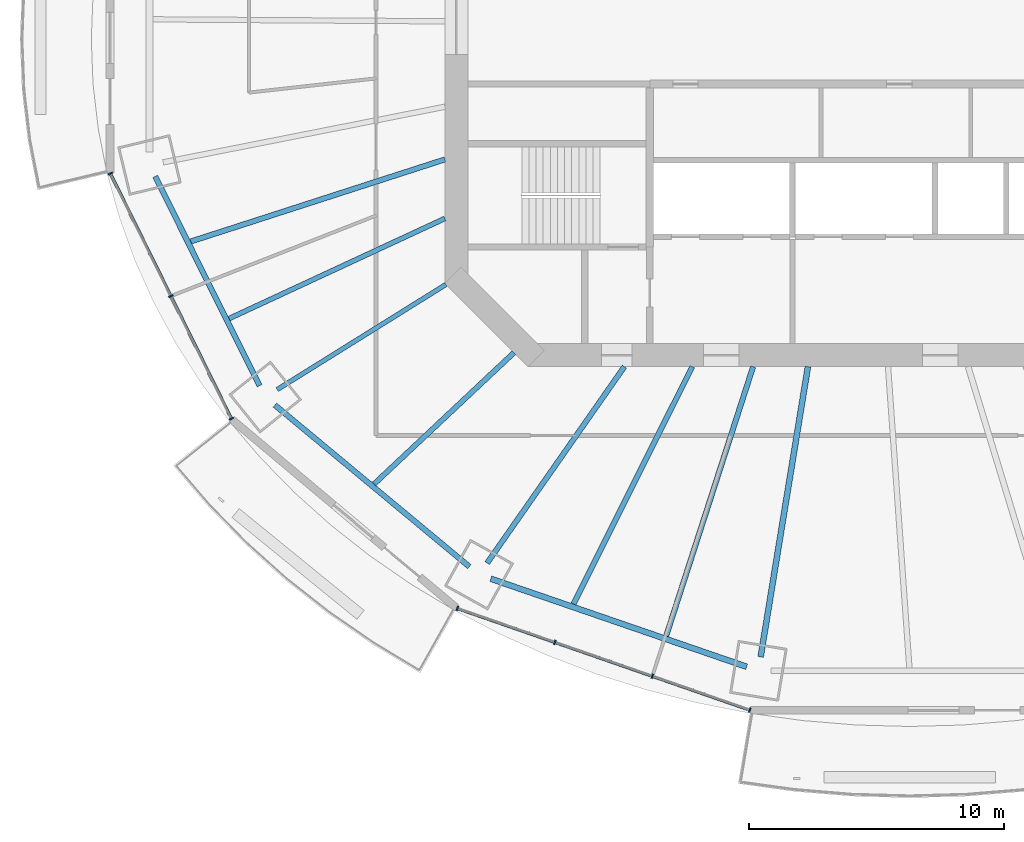
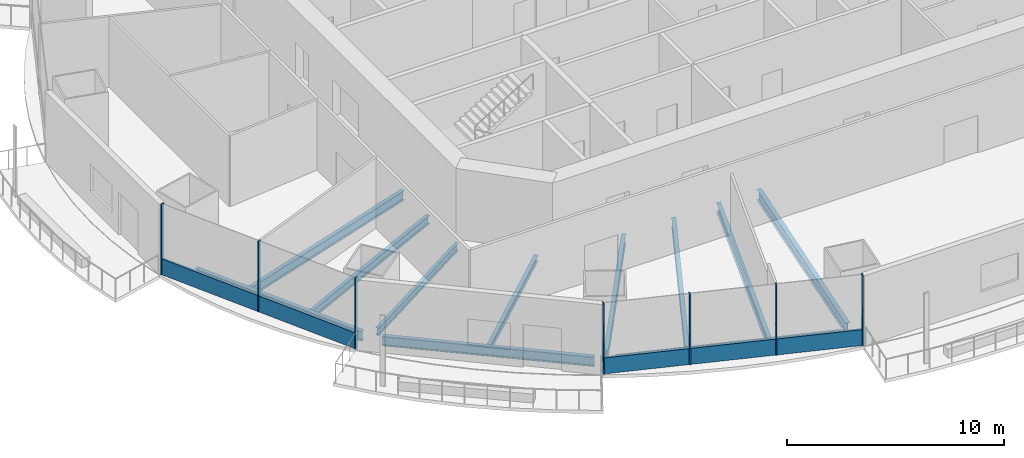
# One storey, part 2 of 20: 11 beams, 9 members, 2 elements without a shape of their own.
"""IFC4 building model written with IfcOpenShell, lengths in metres."""

from ifc_helpers import new_model, si_unit, direction, frame, origin, origin_2d, place, context, subcontext, project, spatial, rectangle, i_section, extrude, material, material_profile, profile_set, type_object, element, aggregate, save


model = new_model("IFC4")

# Units and contexts
model_context = context("Model", 3, precision=1e-05, world=origin(), true_north=direction((0.0, 1.0)))
body_context = subcontext(model_context, "Body", "Model", "MODEL_VIEW")
ifc_project = project(units=[si_unit("LENGTHUNIT", "METRE"), si_unit("AREAUNIT", "SQUARE_METRE"), si_unit("VOLUMEUNIT", "CUBIC_METRE"), si_unit("PLANEANGLEUNIT", "RADIAN"), si_unit("MASSUNIT", "GRAM", prefix="KILO")], contexts=[model_context])

# Site, building, storey
site_placement = place(None, origin())
site = spatial("IfcSite", under=ifc_project, at=site_placement, CompositionType="ELEMENT")
building_placement = place(site_placement, origin())
building = spatial("IfcBuilding", under=site, at=building_placement, Name="Marenthal Gate Tower", CompositionType="ELEMENT")
storey_placement = place(building_placement, frame((0.0, 0.0, 190.10009765625)))
storey = spatial("IfcBuildingStorey", under=building, at=storey_placement, Name="L41", CompositionType="ELEMENT", Elevation=190.10009765625)

# Curtain wall, members
ifc_material_1 = material(Name="Aluminium and glass", Category="aluminium")
curtain_wall_type = type_object("IfcCurtainWallType", Name="Curtain wall typical mid", PredefinedType="NOTDEFINED", material=ifc_material_1)
curtain_wall_1_placement = place(storey_placement, origin())
curtain_wall_1 = element("IfcCurtainWall", 1, at=curtain_wall_1_placement, inside=storey, type_object=curtain_wall_type, Name="Curtain wall L41 bay 9", PredefinedType="NOTDEFINED")
ifc_material_2 = material(Name="Aluminium", Category="aluminium")
ifc_material_profile_1 = material_profile(ifc_material_2, rectangle(XDim=0.179931640625, YDim=0.06005859375, at=origin_2d()), Name="60x180 aluminium mullion")
ifc_profile_set_1 = profile_set([ifc_material_profile_1], Name="Aluminium")
member_type_1 = type_object("IfcMemberType", Name="Mullion 60x180 typical mid", PredefinedType="MULLION", material=ifc_profile_set_1)
member_1_placement = place(storey_placement, frame((-29.58642578125, -5.8671875, 0.0), z_axis=(0.0, 0.0, 1.0), x_axis=(0.896680826174, 0.442677643406, 0.0)))
member_1 = element("IfcMember", 2, at=member_1_placement, type_object=member_type_1, Name="Mullion L41 bay 9.1", PredefinedType="MULLION", context=body_context, shape_type="SweptSolid", body=[
    extrude(rectangle(XDim=0.179931640625, YDim=0.06005859375, at=origin_2d()), origin(), (0.0, 0.0, 1.0), 3.969970703125),
])
member_2_placement = place(storey_placement, frame((-27.209716796875, -10.681640625, 0.0), z_axis=(0.0, 0.0, 1.0), x_axis=(0.896680826174, 0.442677643406, 0.0)))
member_2 = element("IfcMember", 3, at=member_2_placement, type_object=member_type_1, Name="Mullion L41 bay 9.2", PredefinedType="MULLION", context=body_context, shape_type="SweptSolid", body=[
    extrude(rectangle(XDim=0.179931640625, YDim=0.06005859375, at=origin_2d()), origin(), (0.0, 0.0, 1.0), 3.969970703125),
])
member_3_placement = place(storey_placement, frame((-24.832763671875, -15.496337890625, 0.0), z_axis=(0.0, 0.0, 1.0), x_axis=(0.896680826174, 0.442677643406, 0.0)))
member_3 = element("IfcMember", 4, at=member_3_placement, type_object=member_type_1, Name="Mullion L41 bay 9.3", PredefinedType="MULLION", context=body_context, shape_type="SweptSolid", body=[
    extrude(rectangle(XDim=0.179931640625, YDim=0.06005859375, at=origin_2d()), origin(), (0.0, 0.0, 1.0), 3.969970703125),
])

curtain_wall_2_placement = place(storey_placement, origin())
curtain_wall_2 = element("IfcCurtainWall", 5, at=curtain_wall_2_placement, inside=storey, type_object=curtain_wall_type, Name="Curtain wall L41 bay 11", PredefinedType="NOTDEFINED")
member_4_placement = place(storey_placement, frame((-15.958251953125, -22.94384765625, 0.0), z_axis=(0.0, 0.0, 1.0), x_axis=(0.328273001535, 0.944582890203, 0.0)))
member_4 = element("IfcMember", 6, at=member_4_placement, type_object=member_type_1, Name="Mullion L41 bay 11.1", PredefinedType="MULLION", context=body_context, shape_type="SweptSolid", body=[
    extrude(rectangle(XDim=0.179931640625, YDim=0.06005859375, at=origin_2d()), origin(), (0.0, 0.0, 1.0), 3.969970703125),
])
member_5_placement = place(storey_placement, frame((-12.130126953125, -24.2744140625, 0.0), z_axis=(0.0, 0.0, 1.0), x_axis=(0.328273001535, 0.944582890203, 0.0)))
member_5 = element("IfcMember", 7, at=member_5_placement, type_object=member_type_1, Name="Mullion L41 bay 11.2", PredefinedType="MULLION", context=body_context, shape_type="SweptSolid", body=[
    extrude(rectangle(XDim=0.179931640625, YDim=0.06005859375, at=origin_2d()), origin(), (0.0, 0.0, 1.0), 3.969970703125),
])
member_6_placement = place(storey_placement, frame((-8.30224609375, -25.604736328125, 0.0), z_axis=(0.0, 0.0, 1.0), x_axis=(0.328273001535, 0.944582890203, 0.0)))
member_6 = element("IfcMember", 8, at=member_6_placement, type_object=member_type_1, Name="Mullion L41 bay 11.3", PredefinedType="MULLION", context=body_context, shape_type="SweptSolid", body=[
    extrude(rectangle(XDim=0.179931640625, YDim=0.06005859375, at=origin_2d()), origin(), (0.0, 0.0, 1.0), 3.969970703125),
])
member_7_placement = place(storey_placement, frame((-4.47412109375, -26.93505859375, 0.0), z_axis=(0.0, 0.0, 1.0), x_axis=(0.328273001535, 0.944582890203, 0.0)))
member_7 = element("IfcMember", 9, at=member_7_placement, type_object=member_type_1, Name="Mullion L41 bay 11.4", PredefinedType="MULLION", context=body_context, shape_type="SweptSolid", body=[
    extrude(rectangle(XDim=0.179931640625, YDim=0.06005859375, at=origin_2d()), origin(), (0.0, 0.0, 1.0), 3.969970703125),
])

# Member
ifc_material_3 = material(Name="Aluminium", Category="aluminium")
ifc_material_profile_2 = material_profile(ifc_material_3, rectangle(XDim=0.1201171875, YDim=0.89990234375, at=origin_2d()), Name="120x900 aluminium transom")
ifc_profile_set_2 = profile_set([ifc_material_profile_2], Name="Aluminium")
member_type_2 = type_object("IfcMemberType", Name="Transom 120x900 typical mid", PredefinedType="USERDEFINED", material=ifc_profile_set_2)
member_8_placement = place(storey_placement, frame((-29.5732421875, -5.89404296875, 0.449951171875), z_axis=(0.442681148618, -0.896679095696, 0.0), x_axis=(0.896679095696, 0.442681148618, 0.0)))
member_8 = element("IfcMember", 10, at=member_8_placement, type_object=member_type_2, Name="Transom L41 bay 9", ObjectType="TRANSOM", PredefinedType="USERDEFINED", context=body_context, shape_type="SweptSolid", body=[
    extrude(rectangle(XDim=0.1201171875, YDim=0.89990234375, at=origin_2d()), origin(), (0.0, 0.0, 1.0), 10.6787109375),
])

aggregate(curtain_wall_1, [member_1, member_2, member_3, member_8])

member_9_placement = place(storey_placement, frame((-15.929931640625, -22.953857421875, 0.449951171875), z_axis=(0.944582522585, -0.328274059326, 0.0), x_axis=(0.328274059326, 0.944582522585, 0.0)))
member_9 = element("IfcMember", 11, at=member_9_placement, type_object=member_type_2, Name="Transom L41 bay 11", ObjectType="TRANSOM", PredefinedType="USERDEFINED", context=body_context, shape_type="SweptSolid", body=[
    extrude(rectangle(XDim=0.1201171875, YDim=0.89990234375, at=origin_2d()), origin(), (0.0, 0.0, 1.0), 12.097900390625),
])

aggregate(curtain_wall_2, [member_4, member_5, member_6, member_7, member_9])

# Beams
ifc_material_4 = material(Name="Steel S355", Category="steel")
ifc_material_profile_3 = material_profile(ifc_material_4, i_section(OverallWidth=0.205078125, OverallDepth=0.35302734375, WebThickness=0.009521484375, FlangeThickness=0.016845703125, FilletRadius=0.014892578125, at=origin_2d()), Name="W360X79")
ifc_profile_set_3 = profile_set([ifc_material_profile_3], Name="Steel S355")
beam_type_1 = type_object("IfcBeamType", Name="W360X79 beam", PredefinedType="BEAM", material=ifc_profile_set_3)
beam_1_placement = place(storey_placement, frame((-19.2294921875, -18.059814453125, -0.356689453125), z_axis=(0.728917630453, 0.684601408131, 0.0), x_axis=(-0.684601408131, 0.728917630453, 0.0)))
element("IfcBeam", 12, at=beam_1_placement, inside=storey, type_object=beam_type_1, Name="BM-L41-31", PredefinedType="BEAM", context=body_context, shape_type="SweptSolid", body=[
    extrude(i_section(OverallWidth=0.205078125, OverallDepth=0.35302734375, WebThickness=0.009521484375, FlangeThickness=0.016845703125, FilletRadius=0.014892578125, at=origin_2d()), origin(), (0.0, 0.0, 1.0), 7.536376953125),
])
ifc_material_5 = material(Name="Steel S355", Category="steel")
ifc_material_profile_4 = material_profile(ifc_material_5, i_section(OverallWidth=0.180908203125, OverallDepth=0.4169921875, WebThickness=0.010986328125, FlangeThickness=0.018310546875, FilletRadius=0.01025390625, at=origin_2d()), Name="W410X85")
ifc_profile_set_4 = profile_set([ifc_material_profile_4], Name="Steel S355")
beam_type_2 = type_object("IfcBeamType", Name="W410X85 beam", PredefinedType="BEAM", material=ifc_profile_set_4)
beam_2_placement = place(storey_placement, frame((-23.032470703125, -14.3505859375, -0.388671875), z_axis=(0.848728892629, 0.528828201609, 0.0), x_axis=(-0.528828201609, 0.848728892629, 0.0)))
element("IfcBeam", 13, at=beam_2_placement, inside=storey, type_object=beam_type_2, Name="BM-L41-10", PredefinedType="BEAM", context=body_context, shape_type="SweptSolid", body=[
    extrude(i_section(OverallWidth=0.180908203125, OverallDepth=0.4169921875, WebThickness=0.010986328125, FlangeThickness=0.018310546875, FilletRadius=0.01025390625, at=origin_2d()), origin(), (0.0, 0.0, 1.0), 7.80126953125),
])
ifc_material_6 = material(Name="Steel S355", Category="steel")
ifc_material_profile_5 = material_profile(ifc_material_6, i_section(OverallWidth=0.193115234375, OverallDepth=0.467041015625, WebThickness=0.011474609375, FlangeThickness=0.01904296875, FilletRadius=0.010009765625, at=origin_2d()), Name="W460X97")
ifc_profile_set_5 = profile_set([ifc_material_profile_5], Name="Steel S355")
beam_type_3 = type_object("IfcBeamType", Name="W460X97 beam", PredefinedType="BEAM", material=ifc_profile_set_5)
beam_3_placement = place(storey_placement, frame((-24.92431640625, -11.56298828125, -0.41357421875), z_axis=(0.907136908367, 0.420835632377, 0.0), x_axis=(-0.420835632377, 0.907136908367, 0.0)))
element("IfcBeam", 14, at=beam_3_placement, inside=storey, type_object=beam_type_3, Name="BM-L41-30", PredefinedType="BEAM", context=body_context, shape_type="SweptSolid", body=[
    extrude(i_section(OverallWidth=0.193115234375, OverallDepth=0.467041015625, WebThickness=0.011474609375, FlangeThickness=0.01904296875, FilletRadius=0.010009765625, at=origin_2d()), origin(), (0.0, 0.0, 1.0), 9.341796875),
])
ifc_material_7 = material(Name="Steel S355", Category="steel")
ifc_material_profile_6 = material_profile(ifc_material_7, i_section(OverallWidth=0.2099609375, OverallDepth=0.535888671875, WebThickness=0.010986328125, FlangeThickness=0.017333984375, FilletRadius=0.0126953125, at=origin_2d()), Name="W530X101")
ifc_profile_set_6 = profile_set([ifc_material_profile_6], Name="Steel S355")
beam_type_4 = type_object("IfcBeamType", Name="W530X101 beam", PredefinedType="BEAM", material=ifc_profile_set_6)
beam_4_placement = place(storey_placement, frame((-14.79052734375, -21.164794921875, -0.447998046875), z_axis=(0.572818036302, 0.819682558853, 0.0), x_axis=(-0.819682558853, 0.572818036302, 0.0)))
element("IfcBeam", 15, at=beam_4_placement, inside=storey, type_object=beam_type_4, Name="BM-L41-11", PredefinedType="BEAM", context=body_context, shape_type="SweptSolid", body=[
    extrude(i_section(OverallWidth=0.2099609375, OverallDepth=0.535888671875, WebThickness=0.010986328125, FlangeThickness=0.017333984375, FilletRadius=0.0126953125, at=origin_2d()), origin(), (0.0, 0.0, 1.0), 9.412109375),
])
beam_5_placement = place(storey_placement, frame((-26.433349609375, -8.536865234375, -0.447998046875), z_axis=(0.951606355929, 0.307319611083, 0.0), x_axis=(-0.307319611083, 0.951606355929, 0.0)))
element("IfcBeam", 16, at=beam_5_placement, inside=storey, type_object=beam_type_4, Name="BM-L41-29", PredefinedType="BEAM", context=body_context, shape_type="SweptSolid", body=[
    extrude(i_section(OverallWidth=0.2099609375, OverallDepth=0.535888671875, WebThickness=0.010986328125, FlangeThickness=0.017333984375, FilletRadius=0.0126953125, at=origin_2d()), origin(), (0.0, 0.0, 1.0), 10.4912109375),
])
beam_6_placement = place(storey_placement, frame((-11.39990234375, -22.775390625, -0.447998046875), z_axis=(0.447578775757, 0.894244507667, 0.0), x_axis=(-0.894244507667, 0.447578775757, 0.0)))
element("IfcBeam", 17, at=beam_6_placement, inside=storey, type_object=beam_type_4, Name="BM-L41-32", PredefinedType="BEAM", context=body_context, shape_type="SweptSolid", body=[
    extrude(i_section(OverallWidth=0.2099609375, OverallDepth=0.535888671875, WebThickness=0.010986328125, FlangeThickness=0.017333984375, FilletRadius=0.0126953125, at=origin_2d()), origin(), (0.0, 0.0, 1.0), 10.42822265625),
])
beam_7_placement = place(storey_placement, frame((-7.759521484375, -24.028076171875, -0.447998046875), z_axis=(0.307305650276, 0.951610864434, 0.0), x_axis=(-0.951610864434, 0.307305650276, 0.0)))
element("IfcBeam", 18, at=beam_7_placement, inside=storey, type_object=beam_type_4, Name="BM-L41-33", PredefinedType="BEAM", context=body_context, shape_type="SweptSolid", body=[
    extrude(i_section(OverallWidth=0.2099609375, OverallDepth=0.535888671875, WebThickness=0.010986328125, FlangeThickness=0.017333984375, FilletRadius=0.0126953125, at=origin_2d()), origin(), (0.0, 0.0, 1.0), 11.115966796875),
])
ifc_material_8 = material(Name="Steel S355", Category="steel")
ifc_material_profile_7 = material_profile(ifc_material_8, i_section(OverallWidth=0.2119140625, OverallDepth=0.5439453125, WebThickness=0.01318359375, FlangeThickness=0.021240234375, FilletRadius=0.0126953125, at=origin_2d()), Name="W530X123")
ifc_profile_set_7 = profile_set([ifc_material_profile_7], Name="Steel S355")
beam_type_5 = type_object("IfcBeamType", Name="W530X123 beam", PredefinedType="BEAM", material=ifc_profile_set_7)
beam_8_placement = place(storey_placement, frame((-27.82666015625, -5.980224609375, -0.4521484375), z_axis=(0.446245776871, -0.894910446148, 0.0), x_axis=(0.894910446148, 0.446245776871, 0.0)))
element("IfcBeam", 19, at=beam_8_placement, inside=storey, type_object=beam_type_5, Name="BM-L41-49", PredefinedType="BEAM", context=body_context, shape_type="SweptSolid", body=[
    extrude(i_section(OverallWidth=0.2119140625, OverallDepth=0.5439453125, WebThickness=0.01318359375, FlangeThickness=0.021240234375, FilletRadius=0.0126953125, at=origin_2d()), origin(), (0.0, 0.0, 1.0), 9.184814453125),
])
beam_9_placement = place(storey_placement, frame((-23.125, -14.961669921875, -0.4521484375), z_axis=(0.769236112246, -0.638964634089, 0.0), x_axis=(0.638964634089, 0.769236112246, 0.0)))
element("IfcBeam", 20, at=beam_9_placement, inside=storey, type_object=beam_type_5, Name="BM-L41-50", PredefinedType="BEAM", context=body_context, shape_type="SweptSolid", body=[
    extrude(i_section(OverallWidth=0.2119140625, OverallDepth=0.5439453125, WebThickness=0.01318359375, FlangeThickness=0.021240234375, FilletRadius=0.0126953125, at=origin_2d()), origin(), (0.0, 0.0, 1.0), 9.928955078125),
])
ifc_material_9 = material(Name="Steel S355", Category="steel")
ifc_material_profile_8 = material_profile(ifc_material_9, i_section(OverallWidth=0.22900390625, OverallDepth=0.612060546875, WebThickness=0.011962890625, FlangeThickness=0.01953125, FilletRadius=0.0126953125, at=origin_2d()), Name="W610X125")
ifc_profile_set_8 = profile_set([ifc_material_profile_8], Name="Steel S355")
beam_type_6 = type_object("IfcBeamType", Name="W610X125 beam", PredefinedType="BEAM", material=ifc_profile_set_8)
beam_10_placement = place(storey_placement, frame((-4.04931640625, -24.852294921875, -0.486083984375), z_axis=(0.160820189307, 0.986983721604, 0.0), x_axis=(-0.986983721604, 0.160820189307, 0.0)))
element("IfcBeam", 21, at=beam_10_placement, inside=storey, type_object=beam_type_6, Name="BM-L41-12", PredefinedType="BEAM", context=body_context, shape_type="SweptSolid", body=[
    extrude(i_section(OverallWidth=0.22900390625, OverallDepth=0.612060546875, WebThickness=0.011962890625, FlangeThickness=0.01953125, FilletRadius=0.0126953125, at=origin_2d()), origin(), (0.0, 0.0, 1.0), 11.552734375),
])
beam_11_placement = place(storey_placement, frame((-14.645263671875, -21.77978515625, -0.486083984375), z_axis=(0.945594274162, -0.325348226785, 0.0), x_axis=(0.325348226785, 0.945594274162, 0.0)))
element("IfcBeam", 22, at=beam_11_placement, inside=storey, type_object=beam_type_6, Name="BM-L41-51", PredefinedType="BEAM", context=body_context, shape_type="SweptSolid", body=[
    extrude(i_section(OverallWidth=0.22900390625, OverallDepth=0.612060546875, WebThickness=0.011962890625, FlangeThickness=0.01953125, FilletRadius=0.0126953125, at=origin_2d()), origin(), (0.0, 0.0, 1.0), 10.623291015625),
])

save(model, "model.ifc")
